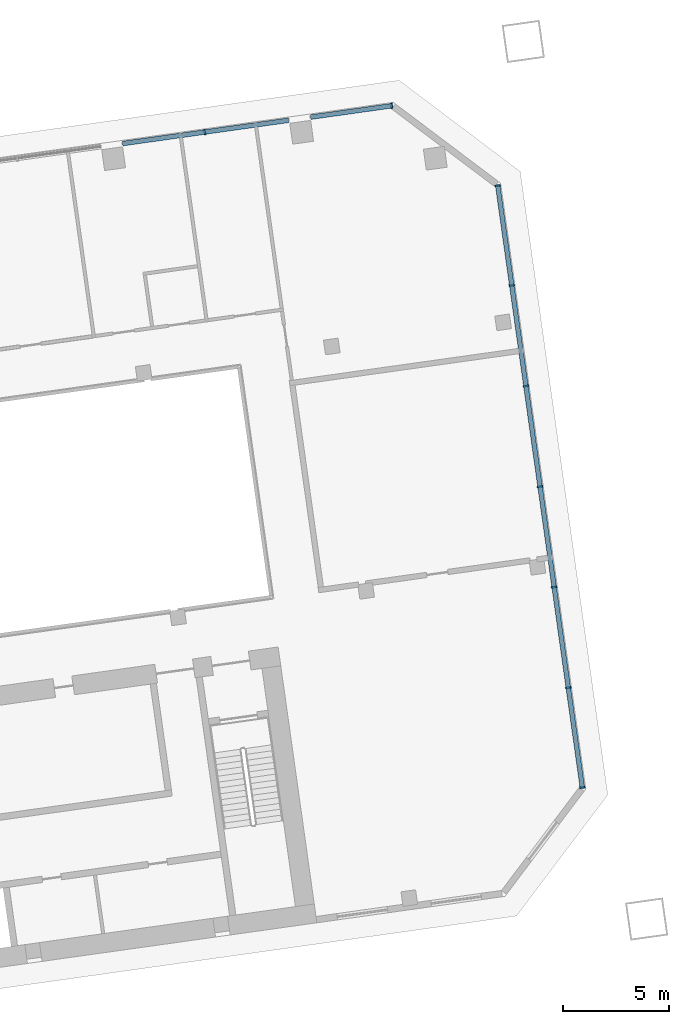
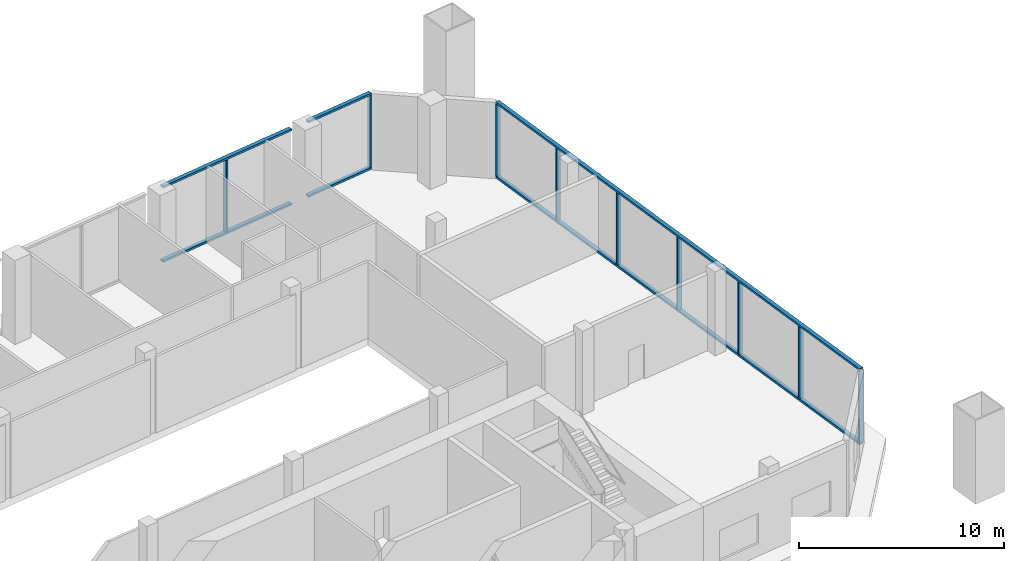
# One storey, part 7 of 21: 15 members, 2 elements without a shape of their own.
"""IFC4 building model written with IfcOpenShell, lengths in metres."""

from ifc_helpers import new_model, si_unit, direction, frame, origin, origin_2d, place, context, subcontext, project, spatial, rectangle, extrude, material, material_profile, profile_set, type_object, element, aggregate, save


model = new_model("IFC4")

# Units and contexts
model_context = context("Model", 3, precision=1e-05, world=origin(), true_north=direction((0.0, 1.0)))
body_context = subcontext(model_context, "Body", "Model", "MODEL_VIEW")
ifc_project = project(units=[si_unit("LENGTHUNIT", "METRE"), si_unit("AREAUNIT", "SQUARE_METRE"), si_unit("VOLUMEUNIT", "CUBIC_METRE"), si_unit("PLANEANGLEUNIT", "RADIAN"), si_unit("MASSUNIT", "GRAM", prefix="KILO")], contexts=[model_context])

# Site, building, storey
site_placement = place(None, origin())
site = spatial("IfcSite", under=ifc_project, at=site_placement, CompositionType="ELEMENT")
building_placement = place(site_placement, origin())
building = spatial("IfcBuilding", under=site, at=building_placement, Name="Mirante Cascada Hotel Towers", CompositionType="ELEMENT")
storey_placement = place(building_placement, frame((0.0, 0.0, 34.5)))
storey = spatial("IfcBuildingStorey", under=building, at=storey_placement, Name="L05", CompositionType="ELEMENT", Elevation=34.5)

# Curtain wall, members
ifc_material_1 = material(Name="Aluminium mullion and transom frame with clear laminated glass", Category="aluminium")
curtain_wall_type = type_object("IfcCurtainWallType", Name="Podium curtain wall ECW3", PredefinedType="NOTDEFINED", material=ifc_material_1)
curtain_wall_1_placement = place(storey_placement, origin())
curtain_wall_1 = element("IfcCurtainWall", 1, at=curtain_wall_1_placement, inside=storey, type_object=curtain_wall_type, Name="Front podium glazing T2 L05", PredefinedType="NOTDEFINED")
ifc_material_2 = material(Name="Anodised aluminium extrusion", Category="aluminium")
ifc_material_profile_1 = material_profile(ifc_material_2, rectangle(XDim=0.26, YDim=0.08, at=origin_2d()), Name="ECW3 MULLION 80x260")
ifc_profile_set_1 = profile_set([ifc_material_profile_1], Name="Anodised aluminium extrusion")
member_type_1 = type_object("IfcMemberType", Name="ECW3 mullion 80x260", PredefinedType="MULLION", material=ifc_profile_set_1)
member_1_placement = place(storey_placement, frame((94.1185, 26.0465, 0.12), z_axis=(0.0, 0.0, 1.0), x_axis=(0.1391731, -0.9902681, 0.0)))
member_1 = element("IfcMember", 2, at=member_1_placement, type_object=member_type_1, Name="ECW3 mullion 1", PredefinedType="MULLION", context=body_context, shape_type="SweptSolid", body=[
    extrude(rectangle(XDim=0.26, YDim=0.08, at=origin_2d()), origin(), (0.0, 0.0, 1.0), 4.31),
])
member_2_placement = place(storey_placement, frame((85.2633, 24.802, 0.12), z_axis=(0.0, 0.0, 1.0), x_axis=(0.1391731, -0.9902681, 0.0)))
member_2 = element("IfcMember", 3, at=member_2_placement, type_object=member_type_1, Name="ECW3 mullion 3", PredefinedType="MULLION", context=body_context, shape_type="SweptSolid", body=[
    extrude(rectangle(XDim=0.26, YDim=0.08, at=origin_2d()), origin(), (0.0, 0.0, 1.0), 4.31),
])

curtain_wall_2_placement = place(storey_placement, origin())
curtain_wall_2 = element("IfcCurtainWall", 4, at=curtain_wall_2_placement, inside=storey, type_object=curtain_wall_type, Name="Outer end podium glazing T2 L05", PredefinedType="NOTDEFINED")
member_3_placement = place(storey_placement, frame((103.1546, -6.2582, 0.12), z_axis=(0.0, 0.0, 1.0), x_axis=(-0.9902681, -0.1391731, 0.0)))
member_3 = element("IfcMember", 5, at=member_3_placement, type_object=member_type_1, Name="ECW3 mullion 1", PredefinedType="MULLION", context=body_context, shape_type="SweptSolid", body=[
    extrude(rectangle(XDim=0.26, YDim=0.08, at=origin_2d()), origin(), (0.0, 0.0, 1.0), 4.31),
])
member_4_placement = place(storey_placement, frame((102.4903, -1.532, 0.12), z_axis=(0.0, 0.0, 1.0), x_axis=(-0.9902681, -0.1391731, 0.0)))
member_4 = element("IfcMember", 6, at=member_4_placement, type_object=member_type_1, Name="ECW3 mullion 2", PredefinedType="MULLION", context=body_context, shape_type="SweptSolid", body=[
    extrude(rectangle(XDim=0.26, YDim=0.08, at=origin_2d()), origin(), (0.0, 0.0, 1.0), 4.31),
])
member_5_placement = place(storey_placement, frame((101.8205, 3.2338, 0.12), z_axis=(0.0, 0.0, 1.0), x_axis=(-0.9902681, -0.1391731, 0.0)))
member_5 = element("IfcMember", 7, at=member_5_placement, type_object=member_type_1, Name="ECW3 mullion 3", PredefinedType="MULLION", context=body_context, shape_type="SweptSolid", body=[
    extrude(rectangle(XDim=0.26, YDim=0.08, at=origin_2d()), origin(), (0.0, 0.0, 1.0), 4.31),
])
member_6_placement = place(storey_placement, frame((101.1508, 7.9996, 0.12), z_axis=(0.0, 0.0, 1.0), x_axis=(-0.9902681, -0.1391731, 0.0)))
member_6 = element("IfcMember", 8, at=member_6_placement, type_object=member_type_1, Name="ECW3 mullion 4", PredefinedType="MULLION", context=body_context, shape_type="SweptSolid", body=[
    extrude(rectangle(XDim=0.26, YDim=0.08, at=origin_2d()), origin(), (0.0, 0.0, 1.0), 4.31),
])
member_7_placement = place(storey_placement, frame((100.481, 12.7654, 0.12), z_axis=(0.0, 0.0, 1.0), x_axis=(-0.9902681, -0.1391731, 0.0)))
member_7 = element("IfcMember", 9, at=member_7_placement, type_object=member_type_1, Name="ECW3 mullion 5", PredefinedType="MULLION", context=body_context, shape_type="SweptSolid", body=[
    extrude(rectangle(XDim=0.26, YDim=0.08, at=origin_2d()), origin(), (0.0, 0.0, 1.0), 4.31),
])
member_8_placement = place(storey_placement, frame((99.8112, 17.5312, 0.12), z_axis=(0.0, 0.0, 1.0), x_axis=(-0.9902681, -0.1391731, 0.0)))
member_8 = element("IfcMember", 10, at=member_8_placement, type_object=member_type_1, Name="ECW3 mullion 6", PredefinedType="MULLION", context=body_context, shape_type="SweptSolid", body=[
    extrude(rectangle(XDim=0.26, YDim=0.08, at=origin_2d()), origin(), (0.0, 0.0, 1.0), 4.31),
])
member_9_placement = place(storey_placement, frame((99.147, 22.2573, 0.12), z_axis=(0.0, 0.0, 1.0), x_axis=(-0.9902681, -0.1391731, 0.0)))
member_9 = element("IfcMember", 11, at=member_9_placement, type_object=member_type_1, Name="ECW3 mullion 7", PredefinedType="MULLION", context=body_context, shape_type="SweptSolid", body=[
    extrude(rectangle(XDim=0.26, YDim=0.08, at=origin_2d()), origin(), (0.0, 0.0, 1.0), 4.31),
])

# Member
ifc_material_3 = material(Name="Anodised aluminium extrusion", Category="aluminium")
ifc_material_profile_2 = material_profile(ifc_material_3, rectangle(XDim=0.22, YDim=0.12, at=origin_2d()), Name="ECW3 TRANSOM 120x220")
ifc_profile_set_2 = profile_set([ifc_material_profile_2], Name="Anodised aluminium extrusion")
member_type_2 = type_object("IfcMemberType", Name="ECW3 transom 120x220", PredefinedType="USERDEFINED", material=ifc_profile_set_2)
member_10_placement = place(storey_placement, frame((94.1582, 26.0521, 0.06), z_axis=(-0.990267, -0.1391805, 0.0), x_axis=(0.1391805, -0.990267, 0.0)))
member_10 = element("IfcMember", 12, at=member_10_placement, type_object=member_type_2, Name="ECW3 sill transom", ObjectType="TRANSOM", PredefinedType="USERDEFINED", context=body_context, shape_type="SweptSolid", body=[
    extrude(rectangle(XDim=0.22, YDim=0.12, at=origin_2d()), origin(), (0.0, 0.0, 1.0), 3.9179),
])

member_11_placement = place(storey_placement, frame((89.2485, 25.3621, 0.06), z_axis=(-0.9902683, -0.1391715, 0.0), x_axis=(0.1391715, -0.9902683, 0.0)))
member_11 = element("IfcMember", 13, at=member_11_placement, type_object=member_type_2, Name="ECW3 sill transom", ObjectType="TRANSOM", PredefinedType="USERDEFINED", context=body_context, shape_type="SweptSolid", body=[
    extrude(rectangle(XDim=0.22, YDim=0.12, at=origin_2d()), origin(), (0.0, 0.0, 1.0), 7.96),
])

member_12_placement = place(storey_placement, frame((94.1582, 26.0521, 4.49), z_axis=(-0.990267, -0.1391805, 0.0), x_axis=(0.1391805, -0.990267, 0.0)))
member_12 = element("IfcMember", 14, at=member_12_placement, type_object=member_type_2, Name="ECW3 head transom", ObjectType="TRANSOM", PredefinedType="USERDEFINED", context=body_context, shape_type="SweptSolid", body=[
    extrude(rectangle(XDim=0.22, YDim=0.12, at=origin_2d()), origin(), (0.0, 0.0, 1.0), 3.9179),
])

member_13_placement = place(storey_placement, frame((89.2485, 25.3621, 4.49), z_axis=(-0.9902683, -0.1391715, 0.0), x_axis=(0.1391715, -0.9902683, 0.0)))
member_13 = element("IfcMember", 15, at=member_13_placement, type_object=member_type_2, Name="ECW3 head transom", ObjectType="TRANSOM", PredefinedType="USERDEFINED", context=body_context, shape_type="SweptSolid", body=[
    extrude(rectangle(XDim=0.22, YDim=0.12, at=origin_2d()), origin(), (0.0, 0.0, 1.0), 7.96),
])

aggregate(curtain_wall_1, [member_10, member_11, member_12, member_13, member_1, member_2])

member_14_placement = place(storey_placement, frame((103.1601, -6.2978, 0.06), z_axis=(-0.1391723, 0.9902682, 0.0), x_axis=(-0.9902682, -0.1391723, 0.0)))
member_14 = element("IfcMember", 16, at=member_14_placement, type_object=member_type_2, Name="ECW3 sill transom", ObjectType="TRANSOM", PredefinedType="USERDEFINED", context=body_context, shape_type="SweptSolid", body=[
    extrude(rectangle(XDim=0.22, YDim=0.12, at=origin_2d()), origin(), (0.0, 0.0, 1.0), 28.8757),
])

member_15_placement = place(storey_placement, frame((103.1601, -6.2978, 4.49), z_axis=(-0.1391723, 0.9902682, 0.0), x_axis=(-0.9902682, -0.1391723, 0.0)))
member_15 = element("IfcMember", 17, at=member_15_placement, type_object=member_type_2, Name="ECW3 head transom", ObjectType="TRANSOM", PredefinedType="USERDEFINED", context=body_context, shape_type="SweptSolid", body=[
    extrude(rectangle(XDim=0.22, YDim=0.12, at=origin_2d()), origin(), (0.0, 0.0, 1.0), 28.8757),
])

aggregate(curtain_wall_2, [member_14, member_15, member_3, member_4, member_5, member_6, member_7, member_8, member_9])

save(model, "model.ifc")
